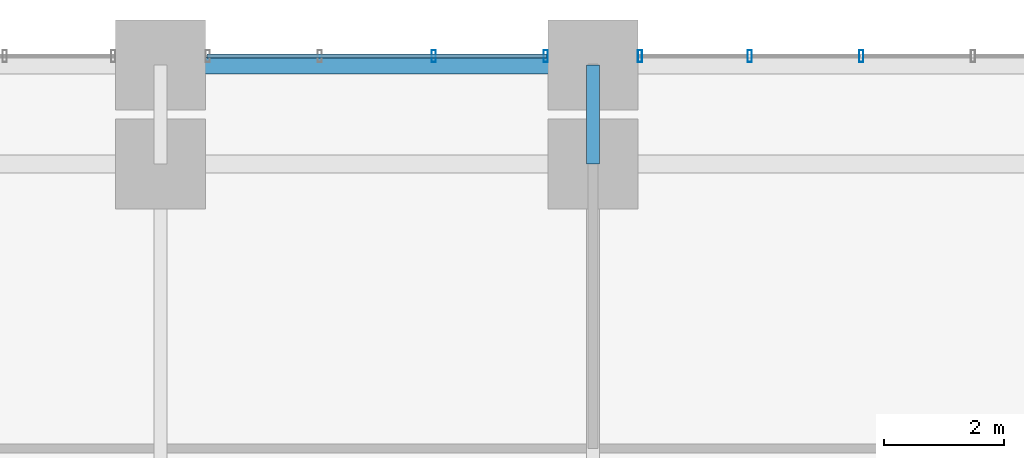
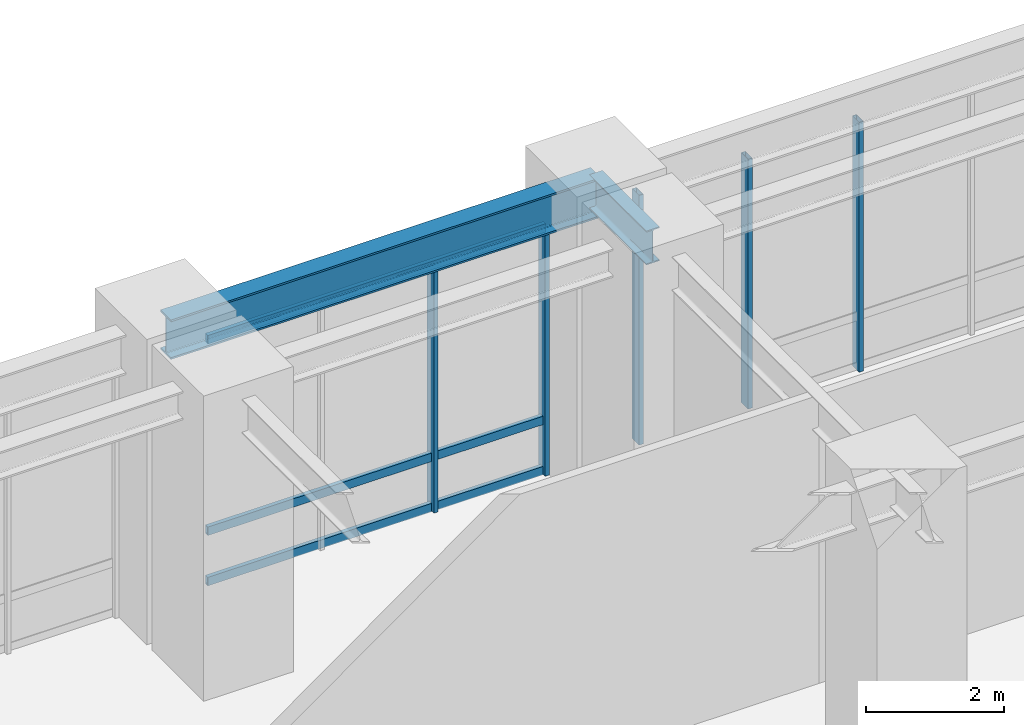
# One storey, part 7 of 22: 8 members, 2 beams, 2 elements without a shape of their own.
"""IFC4 building model written with IfcOpenShell, lengths in metres."""

from ifc_helpers import new_model, si_unit, direction, frame, origin, origin_2d, place, context, subcontext, project, spatial, hollow_rectangle, i_section, extrude, source, transform, mapped, material, layer, layer_set, material_profile, profile_set, type_object, element, aggregate, save


model = new_model("IFC4")

# Units and contexts
model_context = context("Model", 3, precision=1e-05, world=origin(), true_north=direction((0.0, 1.0)))
body_context = subcontext(model_context, "Body", "Model", "MODEL_VIEW")
ifc_project = project(units=[si_unit("LENGTHUNIT", "METRE"), si_unit("AREAUNIT", "SQUARE_METRE"), si_unit("VOLUMEUNIT", "CUBIC_METRE"), si_unit("PLANEANGLEUNIT", "RADIAN"), si_unit("MASSUNIT", "GRAM", prefix="KILO")], contexts=[model_context])

# Site, building, storey
site_placement = place(None, origin())
site = spatial("IfcSite", under=ifc_project, at=site_placement, CompositionType="ELEMENT")
building_placement = place(site_placement, origin())
building = spatial("IfcBuilding", under=site, at=building_placement, Name="Kaliganga Portal Commons", CompositionType="ELEMENT")
storey_placement = place(building_placement, origin())
storey = spatial("IfcBuildingStorey", under=building, at=storey_placement, Name="L00", CompositionType="ELEMENT", Elevation=0.0)

# Beams
ifc_material_1 = material(Name="Structural steel S355J2", Category="steel")
ifc_material_profile_1 = material_profile(ifc_material_1, i_section(OverallWidth=0.300048828125, OverallDepth=0.699951171875, WebThickness=0.01708984375, FlangeThickness=0.031982421875, FilletRadius=0.027099609375, at=origin_2d()), Name="HE 700 B")
ifc_profile_set_1 = profile_set([ifc_material_profile_1], Name="Structural steel S355J2 wide-flange")
beam_type_1 = type_object("IfcBeamType", Name="BM-GIRD-700", PredefinedType="USERDEFINED", material=ifc_profile_set_1)
shared_shape_1 = source(origin(), body_context, "Body", "SweptSolid", [
    extrude(i_section(OverallWidth=0.300048828125, OverallDepth=0.699951171875, WebThickness=0.01708984375, FlangeThickness=0.031982421875, FilletRadius=0.027099609375, at=origin_2d()), origin(), (0.0, 0.0, 1.0), 7.199951171875),
])
beam_1_placement = place(storey_placement, frame((28.800048828125, 44.85009765625, 4.77001953125), z_axis=(1.0, 0.0, 0.0), x_axis=(0.0, 1.0, 0.0)))
element("IfcBeam", 1, at=beam_1_placement, inside=storey, type_object=beam_type_1, Name="BM PODP L00 N44 3", ObjectType="GIRDER", PredefinedType="USERDEFINED", context=body_context, shape_type="MappedRepresentation", body=[
    mapped(shared_shape_1, transform((0.0, 0.0, 0.0), x_axis=(1.0, 0.0, 0.0), y_axis=(0.0, 1.0, 0.0), z_axis=(0.0, 0.0, 1.0), scale=1.0)),
])
ifc_material_profile_2 = material_profile(ifc_material_1, i_section(OverallWidth=0.219970703125, OverallDepth=0.60009765625, WebThickness=0.011962890625, FlangeThickness=0.01904296875, FilletRadius=0.02392578125, at=origin_2d()), Name="IPE 600")
ifc_profile_set_2 = profile_set([ifc_material_profile_2], Name="Structural steel S355J2 wide-flange")
beam_type_2 = type_object("IfcBeamType", Name="BM-FLR-600", PredefinedType="BEAM", material=ifc_profile_set_2)
shared_shape_2 = source(origin(), body_context, "Body", "SweptSolid", [
    extrude(i_section(OverallWidth=0.219970703125, OverallDepth=0.60009765625, WebThickness=0.011962890625, FlangeThickness=0.01904296875, FilletRadius=0.02392578125, at=origin_2d()), origin(), (0.0, 0.0, 1.0), 1.650146484375),
])
beam_2_placement = place(storey_placement, frame((36.0, 43.199951171875, 4.820068359375), z_axis=(0.0, 1.0, 0.0), x_axis=(-1.0, 0.0, 0.0)))
element("IfcBeam", 2, at=beam_2_placement, inside=storey, type_object=beam_type_2, Name="BM PODP L00 NT36", PredefinedType="BEAM", context=body_context, shape_type="MappedRepresentation", body=[
    mapped(shared_shape_2, transform((0.0, 0.0, 0.0), x_axis=(1.0, 0.0, 0.0), y_axis=(0.0, 1.0, 0.0), z_axis=(0.0, 0.0, 1.0), scale=1.0)),
])

# Curtain wall, members
ifc_material_2 = material(Name="Anodized Aluminium and Laminated Low-E Glass", Category="aluminium")
ifc_layer = layer(ifc_material_2, 0.219970703125)
ifc_layer_set = layer_set([ifc_layer], Name="Anodized Aluminium and Laminated Low-E Glass")
curtain_wall_type = type_object("IfcCurtainWallType", Name="CW-SYS-01", PredefinedType="NOTDEFINED", material=ifc_layer_set)
curtain_wall_1_placement = place(storey_placement, origin())
curtain_wall_1 = element("IfcCurtainWall", 3, at=curtain_wall_1_placement, inside=storey, type_object=curtain_wall_type, Name="CW 01 L00 P1E02S4", PredefinedType="NOTDEFINED")
ifc_material_3 = material(Name="Dark Bronze Anodized Aluminium", Category="aluminium")
ifc_material_profile_3 = material_profile(ifc_material_3, hollow_rectangle(XDim=0.070068359375, YDim=0.199951171875, WallThickness=0.00390625, at=origin_2d()), Name="ALU MULL 70x200x4")
ifc_profile_set_3 = profile_set([ifc_material_profile_3], Name="Dark Bronze Anodized Aluminium")
member_type_1 = type_object("IfcMemberType", Name="CW-MUL-220", PredefinedType="MULLION", material=ifc_profile_set_3)
shared_shape_3 = source(origin(), body_context, "Body", "SweptSolid", [
    extrude(hollow_rectangle(XDim=0.070068359375, YDim=0.199951171875, WallThickness=0.00390625, at=origin_2d()), origin(), (0.0, 0.0, 1.0), 4.419921875),
])
member_1_placement = place(storey_placement, frame((40.47021484375, 45.0, 0.0), z_axis=(0.0, 0.0, 1.0), x_axis=(-1.0, 0.0, 0.0)))
member_1 = element("IfcMember", 4, at=member_1_placement, type_object=member_type_1, Name="CW:01:L00:P1E02S4 Mullion 03", PredefinedType="MULLION", context=body_context, shape_type="MappedRepresentation", body=[
    mapped(shared_shape_3, transform((0.0, 0.0, 0.0), x_axis=(1.0, 0.0, 0.0), y_axis=(0.0, 1.0, 0.0), z_axis=(0.0, 0.0, 1.0), scale=1.0)),
])
member_2_placement = place(storey_placement, frame((38.610595703125, 45.0, 0.0), z_axis=(0.0, 0.0, 1.0), x_axis=(-1.0, 0.0, 0.0)))
member_2 = element("IfcMember", 5, at=member_2_placement, type_object=member_type_1, Name="CW:01:L00:P1E02S4 Mullion 04", PredefinedType="MULLION", context=body_context, shape_type="MappedRepresentation", body=[
    mapped(shared_shape_3, transform((0.0, 0.0, 0.0), x_axis=(1.0, 0.0, 0.0), y_axis=(0.0, 1.0, 0.0), z_axis=(0.0, 0.0, 1.0), scale=1.0)),
])
member_3_placement = place(storey_placement, frame((36.785888671875, 45.0, 0.0), z_axis=(0.0, 0.0, 1.0), x_axis=(-1.0, 0.0, 0.0)))
member_3 = element("IfcMember", 6, at=member_3_placement, type_object=member_type_1, Name="CW:01:L00:P1E02S4 Mullion 05", PredefinedType="MULLION", context=body_context, shape_type="MappedRepresentation", body=[
    mapped(shared_shape_3, transform((0.0, 0.0, 0.0), x_axis=(1.0, 0.0, 0.0), y_axis=(0.0, 1.0, 0.0), z_axis=(0.0, 0.0, 1.0), scale=1.0)),
])
aggregate(curtain_wall_1, [member_1, member_2, member_3])

curtain_wall_2_placement = place(storey_placement, origin())
curtain_wall_2 = element("IfcCurtainWall", 7, at=curtain_wall_2_placement, inside=storey, type_object=curtain_wall_type, Name="CW 01 L00 P1E02S5", PredefinedType="NOTDEFINED")
member_4_placement = place(storey_placement, frame((35.214111328125, 45.0, 0.0), z_axis=(0.0, 0.0, 1.0), x_axis=(-1.0, 0.0, 0.0)))
member_4 = element("IfcMember", 8, at=member_4_placement, type_object=member_type_1, Name="CW:01:L00:P1E02S5 Mullion 00", PredefinedType="MULLION", context=body_context, shape_type="MappedRepresentation", body=[
    mapped(shared_shape_3, transform((0.0, 0.0, 0.0), x_axis=(1.0, 0.0, 0.0), y_axis=(0.0, 1.0, 0.0), z_axis=(0.0, 0.0, 1.0), scale=1.0)),
])
member_5_placement = place(storey_placement, frame((33.349609375, 45.0, 0.0), z_axis=(0.0, 0.0, 1.0), x_axis=(-1.0, 0.0, 0.0)))
member_5 = element("IfcMember", 9, at=member_5_placement, type_object=member_type_1, Name="CW:01:L00:P1E02S5 Mullion 01", PredefinedType="MULLION", context=body_context, shape_type="MappedRepresentation", body=[
    mapped(shared_shape_3, transform((0.0, 0.0, 0.0), x_axis=(1.0, 0.0, 0.0), y_axis=(0.0, 1.0, 0.0), z_axis=(0.0, 0.0, 1.0), scale=1.0)),
])
ifc_material_profile_4 = material_profile(ifc_material_3, hollow_rectangle(XDim=0.070068359375, YDim=0.14990234375, WallThickness=0.00341796875, at=origin_2d()), Name="ALU TRAN 70x150x3.5")
ifc_profile_set_4 = profile_set([ifc_material_profile_4], Name="Dark Bronze Anodized Aluminium")
member_type_2 = type_object("IfcMemberType", Name="CW-TRN-150", PredefinedType="USERDEFINED", material=ifc_profile_set_4)
shared_shape_4 = source(origin(), body_context, "Body", "SweptSolid", [
    extrude(hollow_rectangle(XDim=0.070068359375, YDim=0.14990234375, WallThickness=0.00341796875, at=origin_2d()), origin(), (0.0, 0.0, 1.0), 5.657958984375),
])
member_6_placement = place(storey_placement, frame((35.22900390625, 45.0, 0.06005859375), z_axis=(-1.0, 0.0, 0.0), x_axis=(0.0, -1.0, 0.0)))
member_6 = element("IfcMember", 10, at=member_6_placement, type_object=member_type_2, Name="CW:01:L00:P1E02S5 Transom 1", ObjectType="TRANSOM", PredefinedType="USERDEFINED", context=body_context, shape_type="MappedRepresentation", body=[
    mapped(shared_shape_4, transform((0.0, 0.0, 0.0), x_axis=(1.0, 0.0, 0.0), y_axis=(0.0, 1.0, 0.0), z_axis=(0.0, 0.0, 1.0), scale=1.0)),
])
member_7_placement = place(storey_placement, frame((35.22900390625, 45.0, 0.949951171875), z_axis=(-1.0, 0.0, 0.0), x_axis=(0.0, -1.0, 0.0)))
member_7 = element("IfcMember", 11, at=member_7_placement, type_object=member_type_2, Name="CW:01:L00:P1E02S5 Transom 2", ObjectType="TRANSOM", PredefinedType="USERDEFINED", context=body_context, shape_type="MappedRepresentation", body=[
    mapped(shared_shape_4, transform((0.0, 0.0, 0.0), x_axis=(1.0, 0.0, 0.0), y_axis=(0.0, 1.0, 0.0), z_axis=(0.0, 0.0, 1.0), scale=1.0)),
])
member_8_placement = place(storey_placement, frame((35.22900390625, 45.0, 4.340087890625), z_axis=(-1.0, 0.0, 0.0), x_axis=(0.0, -1.0, 0.0)))
member_8 = element("IfcMember", 12, at=member_8_placement, type_object=member_type_2, Name="CW:01:L00:P1E02S5 Transom 3", ObjectType="TRANSOM", PredefinedType="USERDEFINED", context=body_context, shape_type="MappedRepresentation", body=[
    mapped(shared_shape_4, transform((0.0, 0.0, 0.0), x_axis=(1.0, 0.0, 0.0), y_axis=(0.0, 1.0, 0.0), z_axis=(0.0, 0.0, 1.0), scale=1.0)),
])
aggregate(curtain_wall_2, [member_4, member_5, member_6, member_7, member_8])

save(model, "model.ifc")
